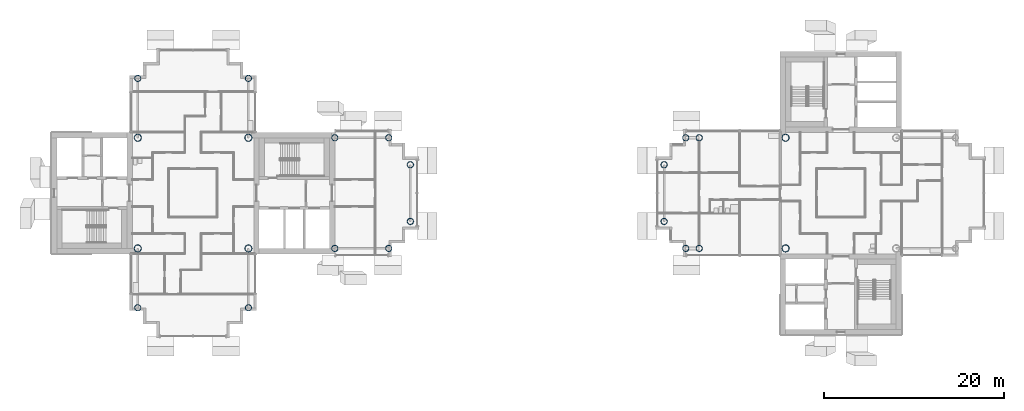
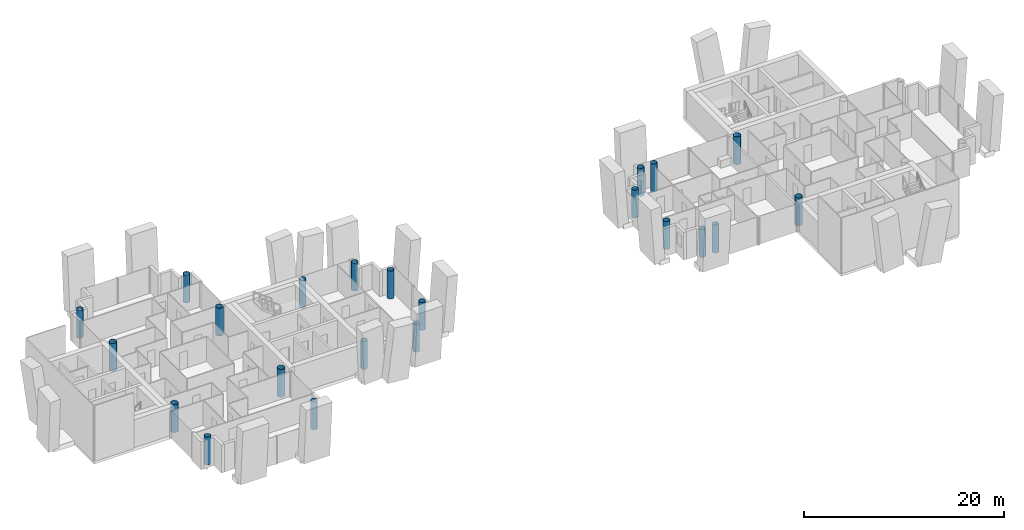
# One storey, part 1 of 18: 22 columns.
"""IFC4 building model written with IfcOpenShell, lengths in metres."""

from ifc_helpers import new_model, si_unit, direction, frame, origin, origin_2d, place, context, subcontext, project, spatial, hollow_circle, extrude, material, material_profile, profile_set, type_object, element, save


model = new_model("IFC4")

# Units and contexts
model_context = context("Model", 3, precision=1e-05, world=origin(), true_north=direction((0.0, 1.0)))
body_context = subcontext(model_context, "Body", "Model", "MODEL_VIEW")
ifc_project = project(units=[si_unit("LENGTHUNIT", "METRE"), si_unit("AREAUNIT", "SQUARE_METRE"), si_unit("VOLUMEUNIT", "CUBIC_METRE"), si_unit("PLANEANGLEUNIT", "RADIAN"), si_unit("MASSUNIT", "GRAM", prefix="KILO")], contexts=[model_context])

# Site, building, storey
site_placement = place(None, origin())
site = spatial("IfcSite", under=ifc_project, at=site_placement, CompositionType="ELEMENT")
building_placement = place(site_placement, origin())
building = spatial("IfcBuilding", under=site, at=building_placement, Name="Ipe Terrace Towers", CompositionType="ELEMENT")
storey_placement = place(building_placement, frame((0.0, 0.0, 216.39990234375)))
storey = spatial("IfcBuildingStorey", under=building, at=storey_placement, Name="L60", CompositionType="ELEMENT", Elevation=216.39990234375)

# Columns
ifc_material_1 = material(Name="Steel S355 tube with Concrete C60/75 fill", Category="concrete")
ifc_material_profile_1 = material_profile(ifc_material_1, hollow_circle(Radius=0.35009765625, WallThickness=0.02490234375, at=origin_2d()), Name="CHS-700x25")
ifc_profile_set_1 = profile_set([ifc_material_profile_1], Name="Steel S355 tube with Concrete C60/75 fill")
column_type_1 = type_object("IfcColumnType", Name="CH08 COLUMN CHS-700x25", PredefinedType="COLUMN", material=ifc_profile_set_1)
for number, where, z_axis, x_axis, name in (
    (1, (-20.25, -6.14990234375, 0.0), (0.0, 0.0, 1.0), (1.0, 0.0, 0.0), "Column T1-C-A01"),
    (2, (-20.25, 6.14990234375, 0.0), (0.0, 0.0, 1.0), (1.0, 0.0, 0.0), "Column T1-C-A02"),
    (3, (-14.25, -6.14990234375, 0.0), (0.0, 0.0, 1.0), (1.0, 0.0, 0.0), "Column T1-C-A03"),
    (4, (-14.25, 6.14990234375, 0.0), (0.0, 0.0, 1.0), (1.0, 0.0, 0.0), "Column T1-C-A04"),
    (5, (-11.85009765625, -3.14990234375, 0.0), (0.0, 0.0, 1.0), (1.0, 0.0, 0.0), "Column T1-C-A05"),
    (6, (-11.85009765625, 3.14990234375, 0.0), (0.0, 0.0, 1.0), (1.0, 0.0, 0.0), "Column T1-C-A06"),
    (7, (-29.85009765625, 12.75, 0.0), (0.0, 0.0, 1.0), (1.0, 0.0, 0.0), "Column T1-C-B01"),
    (8, (-42.14990234375, 12.75, 0.0), (0.0, 0.0, 1.0), (1.0, 0.0, 0.0), "Column T1-C-B02"),
    (9, (-42.14990234375, -12.75, 0.0), (0.0, 0.0, 1.0), (1.0, 0.0, 0.0), "Column T1-C-D01"),
    (10, (-29.85009765625, -12.75, 0.0), (0.0, 0.0, 1.0), (1.0, 0.0, 0.0), "Column T1-C-D02"),
    (11, (20.25, 6.14990234375, 0.0), (0.0, 0.0, 1.0), (1.0, 0.0, 0.0), "Column T2-C-B03"),
    (12, (20.25, -6.14990234375, 0.0), (0.0, 0.0, 1.0), (1.0, 0.0, 0.0), "Column T2-C-B04"),
    (13, (18.75, 6.14990234375, 0.0), (0.0, 0.0, 1.0), (1.0, 0.0, 0.0), "Column T2-C-B05"),
    (14, (18.75, -6.14990234375, 0.0), (0.0, 0.0, 1.0), (1.0, 0.0, 0.0), "Column T2-C-B06"),
    (15, (16.35009765625, 3.14990234375, 0.0), (0.0, 0.0, 1.0), (1.0, 0.0, 0.0), "Column T2-C-B07"),
    (16, (16.35009765625, -3.14990234375, 0.0), (0.0, 0.0, 1.0), (1.0, 0.0, 0.0), "Column T2-C-B08"),
):
    element("IfcColumn", number, at=place(storey_placement, frame(where, z_axis=z_axis, x_axis=x_axis)), inside=storey, type_object=column_type_1, Name=name, PredefinedType="COLUMN", context=body_context, shape_type="SweptSolid", body=[
        extrude(hollow_circle(Radius=0.35009765625, WallThickness=0.02490234375, at=origin_2d()), origin(), (0.0, 0.0, 1.0), 3.400146484375),
    ])
ifc_material_2 = material(Name="Steel S355 tube with Concrete C60/75 fill", Category="concrete")
ifc_material_profile_2 = material_profile(ifc_material_2, hollow_circle(Radius=0.39990234375, WallThickness=0.028076171875, at=origin_2d()), Name="CHS-800x28")
ifc_profile_set_2 = profile_set([ifc_material_profile_2], Name="Steel S355 tube with Concrete C60/75 fill")
column_type_2 = type_object("IfcColumnType", Name="CH09 COLUMN CHS-800x28", PredefinedType="COLUMN", material=ifc_profile_set_2)
for number, where, z_axis, x_axis, name in (
    (17, (-42.14990234375, -6.14990234375, 0.0), (0.0, 0.0, 1.0), (1.0, 0.0, 0.0), "Column T1-C-E01"),
    (18, (-29.85009765625, -6.14990234375, 0.0), (0.0, 0.0, 1.0), (1.0, 0.0, 0.0), "Column T1-C-E02"),
    (19, (-29.85009765625, 6.14990234375, 0.0), (0.0, 0.0, 1.0), (1.0, 0.0, 0.0), "Column T1-C-E03"),
    (20, (-42.14990234375, 6.14990234375, 0.0), (0.0, 0.0, 1.0), (1.0, 0.0, 0.0), "Column T1-C-E04"),
    (21, (29.85009765625, 6.14990234375, 0.0), (0.0, 0.0, 1.0), (1.0, 0.0, 0.0), "Column T2-C-E03"),
    (22, (29.85009765625, -6.14990234375, 0.0), (0.0, 0.0, 1.0), (1.0, 0.0, 0.0), "Column T2-C-E04"),
):
    element("IfcColumn", number, at=place(storey_placement, frame(where, z_axis=z_axis, x_axis=x_axis)), inside=storey, type_object=column_type_2, Name=name, PredefinedType="COLUMN", context=body_context, shape_type="SweptSolid", body=[
        extrude(hollow_circle(Radius=0.39990234375, WallThickness=0.028076171875, at=origin_2d()), origin(), (0.0, 0.0, 1.0), 3.400146484375),
    ])

save(model, "model.ifc")
